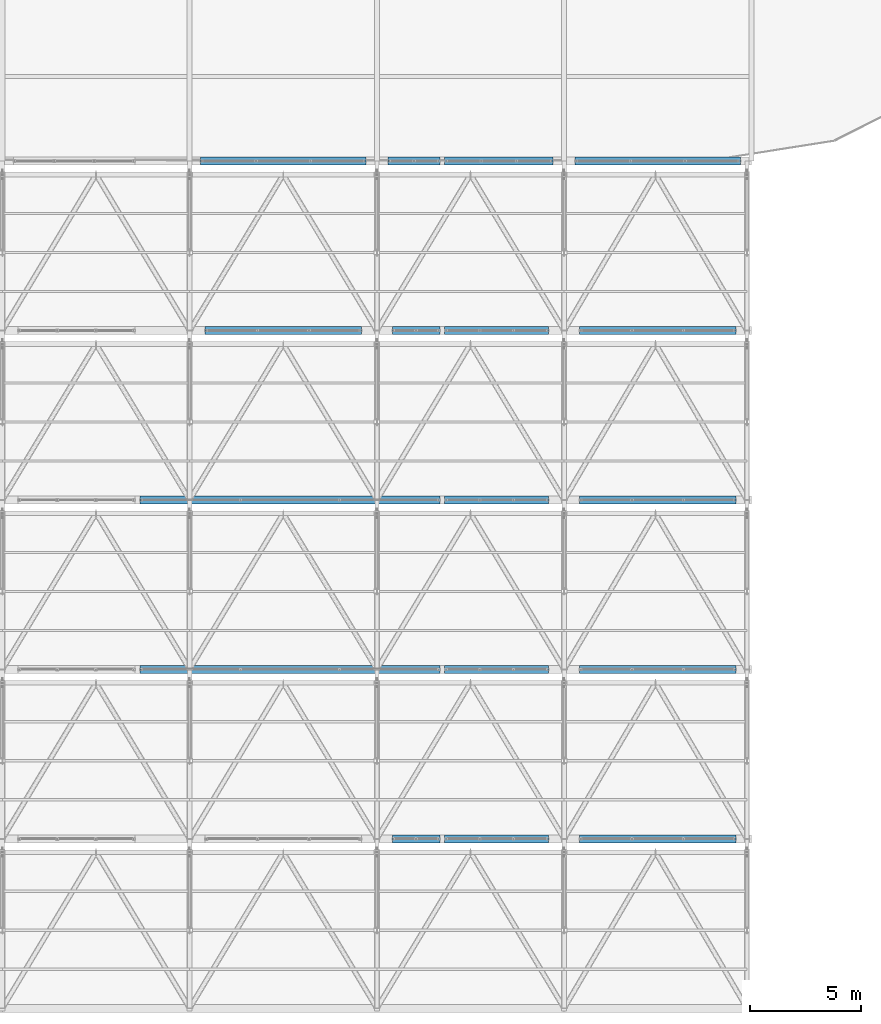
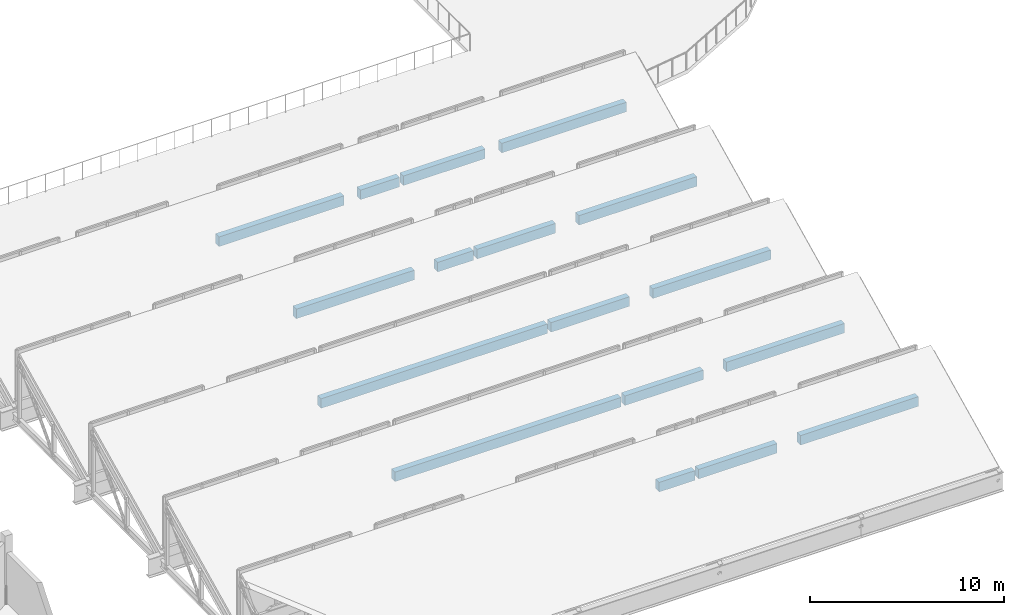
# One storey, part 53 of 57: 17 discrete accessories.
"""IFC4 building model written with IfcOpenShell, lengths in metres."""

from ifc_helpers import new_model, si_unit, direction, frame, origin, origin_2d, place, context, subcontext, project, spatial, rectangle, extrude, material, type_object, element, save


model = new_model("IFC4")

# Units and contexts
model_context = context("Model", 3, precision=1e-05, world=origin(), true_north=direction((0.0, 1.0)))
body_context = subcontext(model_context, "Body", "Model", "MODEL_VIEW")
ifc_project = project(units=[si_unit("LENGTHUNIT", "METRE"), si_unit("AREAUNIT", "SQUARE_METRE"), si_unit("VOLUMEUNIT", "CUBIC_METRE"), si_unit("PLANEANGLEUNIT", "RADIAN"), si_unit("MASSUNIT", "GRAM", prefix="KILO")], contexts=[model_context])

# Site, building, storey
site_placement = place(None, origin())
site = spatial("IfcSite", under=ifc_project, at=site_placement, CompositionType="ELEMENT")
building_placement = place(site_placement, origin())
building = spatial("IfcBuilding", under=site, at=building_placement, Name="Zuvorla Pavilion Media Centre", CompositionType="ELEMENT")
storey_placement = place(building_placement, frame((0.0, 0.0, 18.0)))
storey = spatial("IfcBuildingStorey", under=building, at=storey_placement, Name="L04", CompositionType="ELEMENT", Elevation=18.0)

# Discrete accessories
ifc_material = material(Name="Galvanised steel S355 fixing bracket", Category="steel")
discrete_accessory_type = type_object("IfcDiscreteAccessoryType", Name="ACC-BRK-STL", PredefinedType="BRACKET", material=ifc_material)
discrete_accessory_1_placement = place(storey_placement, frame((144.15869140625, 13.60009765625, -0.52001953125), z_axis=(0.0, 0.0, 1.0), x_axis=(1.0, 0.0, 0.0)))
element("IfcDiscreteAccessory", 1, at=discrete_accessory_1_placement, inside=storey, type_object=discrete_accessory_type, Name="L04 clerestory sill bracket", PredefinedType="BRACKET", context=body_context, shape_type="SweptSolid", body=[
    extrude(rectangle(XDim=2.12890625, YDim=0.360107421875, at=origin_2d()), origin(), (0.0, 0.0, 1.0), 0.60009765625),
])
discrete_accessory_2_placement = place(storey_placement, frame((147.7744140625, 13.60009765625, -0.52001953125), z_axis=(0.0, 0.0, 1.0), x_axis=(1.0, 0.0, 0.0)))
element("IfcDiscreteAccessory", 2, at=discrete_accessory_2_placement, inside=storey, type_object=discrete_accessory_type, Name="L04 clerestory sill bracket", PredefinedType="BRACKET", context=body_context, shape_type="SweptSolid", body=[
    extrude(rectangle(XDim=4.662353515625, YDim=0.360107421875, at=origin_2d()), origin(), (0.0, 0.0, 1.0), 0.60009765625),
])
discrete_accessory_3_placement = place(storey_placement, frame((155.0, 13.60009765625, -0.52001953125), z_axis=(0.0, 0.0, 1.0), x_axis=(1.0, 0.0, 0.0)))
element("IfcDiscreteAccessory", 3, at=discrete_accessory_3_placement, inside=storey, type_object=discrete_accessory_type, Name="L04 clerestory sill bracket", PredefinedType="BRACKET", context=body_context, shape_type="SweptSolid", body=[
    extrude(rectangle(XDim=7.011474609375, YDim=0.360107421875, at=origin_2d()), origin(), (0.0, 0.0, 1.0), 0.60009765625),
])
discrete_accessory_4_placement = place(storey_placement, frame((138.5, 21.199951171875, -0.52001953125), z_axis=(0.0, 0.0, 1.0), x_axis=(1.0, 0.0, 0.0)))
element("IfcDiscreteAccessory", 4, at=discrete_accessory_4_placement, inside=storey, type_object=discrete_accessory_type, Name="L04 clerestory sill bracket", PredefinedType="BRACKET", context=body_context, shape_type="SweptSolid", body=[
    extrude(rectangle(XDim=13.446533203125, YDim=0.360107421875, at=origin_2d()), origin(), (0.0, 0.0, 1.0), 0.60009765625),
])
discrete_accessory_5_placement = place(storey_placement, frame((147.7744140625, 21.199951171875, -0.52001953125), z_axis=(0.0, 0.0, 1.0), x_axis=(1.0, 0.0, 0.0)))
element("IfcDiscreteAccessory", 5, at=discrete_accessory_5_placement, inside=storey, type_object=discrete_accessory_type, Name="L04 clerestory sill bracket", PredefinedType="BRACKET", context=body_context, shape_type="SweptSolid", body=[
    extrude(rectangle(XDim=4.662353515625, YDim=0.360107421875, at=origin_2d()), origin(), (0.0, 0.0, 1.0), 0.60009765625),
])
discrete_accessory_6_placement = place(storey_placement, frame((155.0, 21.199951171875, -0.52001953125), z_axis=(0.0, 0.0, 1.0), x_axis=(1.0, 0.0, 0.0)))
element("IfcDiscreteAccessory", 6, at=discrete_accessory_6_placement, inside=storey, type_object=discrete_accessory_type, Name="L04 clerestory sill bracket", PredefinedType="BRACKET", context=body_context, shape_type="SweptSolid", body=[
    extrude(rectangle(XDim=7.011474609375, YDim=0.360107421875, at=origin_2d()), origin(), (0.0, 0.0, 1.0), 0.60009765625),
])
discrete_accessory_7_placement = place(storey_placement, frame((138.5, 28.800048828125, -0.52001953125), z_axis=(0.0, 0.0, 1.0), x_axis=(1.0, 0.0, 0.0)))
element("IfcDiscreteAccessory", 7, at=discrete_accessory_7_placement, inside=storey, type_object=discrete_accessory_type, Name="L04 clerestory sill bracket", PredefinedType="BRACKET", context=body_context, shape_type="SweptSolid", body=[
    extrude(rectangle(XDim=13.446533203125, YDim=0.360107421875, at=origin_2d()), origin(), (0.0, 0.0, 1.0), 0.60009765625),
])
discrete_accessory_8_placement = place(storey_placement, frame((147.7744140625, 28.800048828125, -0.52001953125), z_axis=(0.0, 0.0, 1.0), x_axis=(1.0, 0.0, 0.0)))
element("IfcDiscreteAccessory", 8, at=discrete_accessory_8_placement, inside=storey, type_object=discrete_accessory_type, Name="L04 clerestory sill bracket", PredefinedType="BRACKET", context=body_context, shape_type="SweptSolid", body=[
    extrude(rectangle(XDim=4.662353515625, YDim=0.360107421875, at=origin_2d()), origin(), (0.0, 0.0, 1.0), 0.60009765625),
])
for number, where, z_axis, x_axis, name in (
    (9, (155.0, 28.800048828125, -0.52001953125), (0.0, 0.0, 1.0), (1.0, 0.0, 0.0), "L04 clerestory sill bracket"),
    (10, (138.199951171875, 36.39990234375, -0.52001953125), (0.0, 0.0, 1.0), (1.0, 0.0, 0.0), "L04 clerestory sill bracket"),
):
    element("IfcDiscreteAccessory", number, at=place(storey_placement, frame(where, z_axis=z_axis, x_axis=x_axis)), inside=storey, type_object=discrete_accessory_type, Name=name, PredefinedType="BRACKET", context=body_context, shape_type="SweptSolid", body=[
        extrude(rectangle(XDim=7.011474609375, YDim=0.360107421875, at=origin_2d()), origin(), (0.0, 0.0, 1.0), 0.60009765625),
    ])
discrete_accessory_9_placement = place(storey_placement, frame((144.15869140625, 36.39990234375, -0.52001953125), z_axis=(0.0, 0.0, 1.0), x_axis=(1.0, 0.0, 0.0)))
element("IfcDiscreteAccessory", 11, at=discrete_accessory_9_placement, inside=storey, type_object=discrete_accessory_type, Name="L04 clerestory sill bracket", PredefinedType="BRACKET", context=body_context, shape_type="SweptSolid", body=[
    extrude(rectangle(XDim=2.12890625, YDim=0.360107421875, at=origin_2d()), origin(), (0.0, 0.0, 1.0), 0.60009765625),
])
discrete_accessory_10_placement = place(storey_placement, frame((147.7744140625, 36.39990234375, -0.52001953125), z_axis=(0.0, 0.0, 1.0), x_axis=(1.0, 0.0, 0.0)))
element("IfcDiscreteAccessory", 12, at=discrete_accessory_10_placement, inside=storey, type_object=discrete_accessory_type, Name="L04 clerestory sill bracket", PredefinedType="BRACKET", context=body_context, shape_type="SweptSolid", body=[
    extrude(rectangle(XDim=4.662353515625, YDim=0.360107421875, at=origin_2d()), origin(), (0.0, 0.0, 1.0), 0.60009765625),
])
discrete_accessory_11_placement = place(storey_placement, frame((155.0, 36.39990234375, -0.52001953125), z_axis=(0.0, 0.0, 1.0), x_axis=(1.0, 0.0, 0.0)))
element("IfcDiscreteAccessory", 13, at=discrete_accessory_11_placement, inside=storey, type_object=discrete_accessory_type, Name="L04 clerestory sill bracket", PredefinedType="BRACKET", context=body_context, shape_type="SweptSolid", body=[
    extrude(rectangle(XDim=7.011474609375, YDim=0.360107421875, at=origin_2d()), origin(), (0.0, 0.0, 1.0), 0.60009765625),
])
discrete_accessory_12_placement = place(storey_placement, frame((138.199951171875, 44.0, -0.52001953125), z_axis=(0.0, 0.0, 1.0), x_axis=(1.0, 0.0, 0.0)))
element("IfcDiscreteAccessory", 14, at=discrete_accessory_12_placement, inside=storey, type_object=discrete_accessory_type, Name="L04 clerestory sill bracket", PredefinedType="BRACKET", context=body_context, shape_type="SweptSolid", body=[
    extrude(rectangle(XDim=7.41455078125, YDim=0.360107421875, at=origin_2d()), origin(), (0.0, 0.0, 1.0), 0.60009765625),
])
discrete_accessory_13_placement = place(storey_placement, frame((144.05810546875, 44.0, -0.52001953125), z_axis=(0.0, 0.0, 1.0), x_axis=(1.0, 0.0, 0.0)))
element("IfcDiscreteAccessory", 15, at=discrete_accessory_13_placement, inside=storey, type_object=discrete_accessory_type, Name="L04 clerestory sill bracket", PredefinedType="BRACKET", context=body_context, shape_type="SweptSolid", body=[
    extrude(rectangle(XDim=2.33056640625, YDim=0.360107421875, at=origin_2d()), origin(), (0.0, 0.0, 1.0), 0.60009765625),
])
discrete_accessory_14_placement = place(storey_placement, frame((147.875244140625, 44.0, -0.52001953125), z_axis=(0.0, 0.0, 1.0), x_axis=(1.0, 0.0, 0.0)))
element("IfcDiscreteAccessory", 16, at=discrete_accessory_14_placement, inside=storey, type_object=discrete_accessory_type, Name="L04 clerestory sill bracket", PredefinedType="BRACKET", context=body_context, shape_type="SweptSolid", body=[
    extrude(rectangle(XDim=4.864013671875, YDim=0.360107421875, at=origin_2d()), origin(), (0.0, 0.0, 1.0), 0.60009765625),
])
discrete_accessory_15_placement = place(storey_placement, frame((155.0, 44.0, -0.52001953125), z_axis=(0.0, 0.0, 1.0), x_axis=(1.0, 0.0, 0.0)))
element("IfcDiscreteAccessory", 17, at=discrete_accessory_15_placement, inside=storey, type_object=discrete_accessory_type, Name="L04 clerestory sill bracket", PredefinedType="BRACKET", context=body_context, shape_type="SweptSolid", body=[
    extrude(rectangle(XDim=7.41455078125, YDim=0.360107421875, at=origin_2d()), origin(), (0.0, 0.0, 1.0), 0.60009765625),
])

save(model, "model.ifc")
